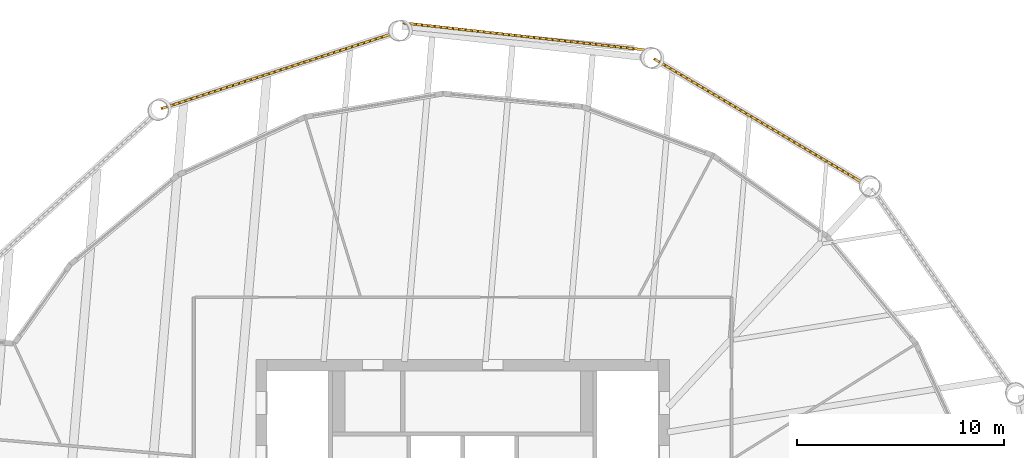
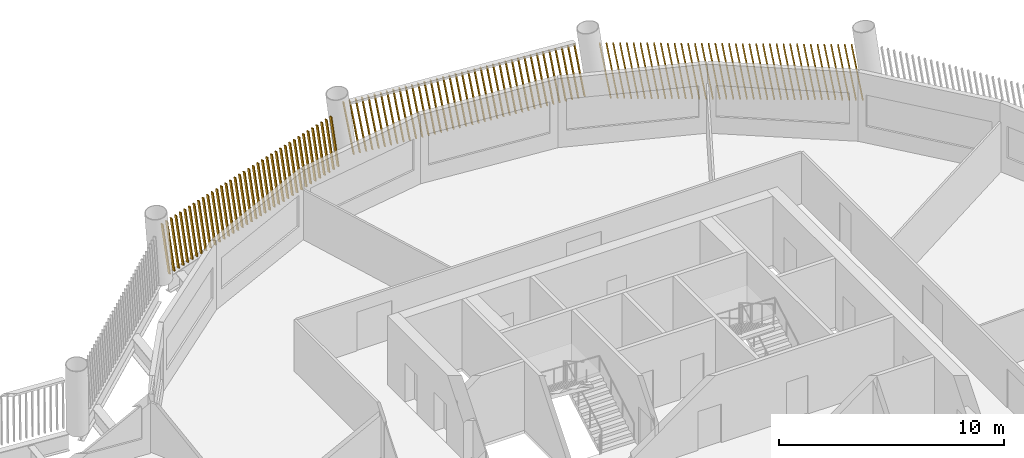
# One storey, part 13 of 14: 3 shading devices.
"""IFC4 building model written with IfcOpenShell, lengths in metres."""

from ifc_helpers import new_model, si_unit, direction, frame, frame_2d, origin, place, context, subcontext, project, spatial, rectangle, composite_profile, extrude, material, type_object, element, save


model = new_model("IFC4")

# Units and contexts
model_context = context("Model", 3, precision=1e-05, world=origin(), true_north=direction((0.0, 1.0)))
body_context = subcontext(model_context, "Body", "Model", "MODEL_VIEW")
ifc_project = project(units=[si_unit("LENGTHUNIT", "METRE"), si_unit("AREAUNIT", "SQUARE_METRE"), si_unit("VOLUMEUNIT", "CUBIC_METRE"), si_unit("PLANEANGLEUNIT", "RADIAN"), si_unit("MASSUNIT", "GRAM", prefix="KILO")], contexts=[model_context])

# Site, building, storey
site_placement = place(None, origin())
site = spatial("IfcSite", under=ifc_project, at=site_placement, CompositionType="ELEMENT")
building_placement = place(site_placement, origin())
building = spatial("IfcBuilding", under=site, at=building_placement, Name="Tarsis Ring Headquarters", CompositionType="ELEMENT")
storey_placement = place(building_placement, frame((0.0, 0.0, 266.89990234375)))
storey = spatial("IfcBuildingStorey", under=building, at=storey_placement, Name="L62", CompositionType="ELEMENT", Elevation=266.89990234375)

# Shading devices
ifc_material = material(Name="Terracotta baguette", Category="masonry")
shading_device_type = type_object("IfcShadingDeviceType", Name="Terracotta baguette screen", PredefinedType="USERDEFINED", material=ifc_material)
shading_device_1_placement = place(storey_placement, frame((19.336669921875, 21.54150390625, 0.0), z_axis=(0.0, 0.0, 1.0), x_axis=(-0.859775154093, 0.510678010244, 0.0)))
element("IfcShadingDevice", 1, at=shading_device_1_placement, inside=storey, type_object=shading_device_type, Name="Baguette screen L62-11", ObjectType="Terracotta baguette screen", PredefinedType="USERDEFINED", context=body_context, shape_type="SweptSolid", body=[
    extrude(composite_profile([rectangle(XDim=0.06005859375, YDim=0.1201171875, at=frame_2d((0.030029296875, 0.0))), rectangle(XDim=0.06005859375, YDim=0.1201171875, at=frame_2d((0.33251953125, 0.0))), rectangle(XDim=0.06005859375, YDim=0.1201171875, at=frame_2d((0.634765625, 0.0))), rectangle(XDim=0.06005859375, YDim=0.1201171875, at=frame_2d((0.937255859375, 0.0))), rectangle(XDim=0.06005859375, YDim=0.1201171875, at=frame_2d((1.239501953125, 0.0))), rectangle(XDim=0.06005859375, YDim=0.1201171875, at=frame_2d((1.5419921875, 0.0))), rectangle(XDim=0.06005859375, YDim=0.1201171875, at=frame_2d((1.844482421875, 0.0))), rectangle(XDim=0.06005859375, YDim=0.1201171875, at=frame_2d((2.146728515625, 0.0))), rectangle(XDim=0.06005859375, YDim=0.1201171875, at=frame_2d((2.44921875, 0.0))), rectangle(XDim=0.06005859375, YDim=0.1201171875, at=frame_2d((2.751708984375, 0.0))), rectangle(XDim=0.06005859375, YDim=0.1201171875, at=frame_2d((3.053955078125, 0.0))), rectangle(XDim=0.06005859375, YDim=0.1201171875, at=frame_2d((3.3564453125, 0.0))), rectangle(XDim=0.06005859375, YDim=0.1201171875, at=frame_2d((3.65869140625, 0.0))), rectangle(XDim=0.06005859375, YDim=0.1201171875, at=frame_2d((3.961181640625, 0.0))), rectangle(XDim=0.06005859375, YDim=0.1201171875, at=frame_2d((4.263671875, 0.0))), rectangle(XDim=0.06005859375, YDim=0.1201171875, at=frame_2d((4.56591796875, 0.0))), rectangle(XDim=0.06005859375, YDim=0.1201171875, at=frame_2d((4.868408203125, 0.0))), rectangle(XDim=0.06005859375, YDim=0.1201171875, at=frame_2d((5.1708984375, 0.0))), rectangle(XDim=0.06005859375, YDim=0.1201171875, at=frame_2d((5.47314453125, 0.0))), rectangle(XDim=0.06005859375, YDim=0.1201171875, at=frame_2d((5.775634765625, 0.0))), rectangle(XDim=0.06005859375, YDim=0.1201171875, at=frame_2d((6.077880859375, 0.0))), rectangle(XDim=0.06005859375, YDim=0.1201171875, at=frame_2d((6.38037109375, 0.0))), rectangle(XDim=0.06005859375, YDim=0.1201171875, at=frame_2d((6.682861328125, 0.0))), rectangle(XDim=0.06005859375, YDim=0.1201171875, at=frame_2d((6.985107421875, 0.0))), rectangle(XDim=0.06005859375, YDim=0.1201171875, at=frame_2d((7.28759765625, 0.0))), rectangle(XDim=0.06005859375, YDim=0.1201171875, at=frame_2d((7.590087890625, 0.0))), rectangle(XDim=0.06005859375, YDim=0.1201171875, at=frame_2d((7.892333984375, 0.0))), rectangle(XDim=0.06005859375, YDim=0.1201171875, at=frame_2d((8.19482421875, 0.0))), rectangle(XDim=0.06005859375, YDim=0.1201171875, at=frame_2d((8.4970703125, 0.0))), rectangle(XDim=0.06005859375, YDim=0.1201171875, at=frame_2d((8.799560546875, 0.0))), rectangle(XDim=0.06005859375, YDim=0.1201171875, at=frame_2d((9.10205078125, 0.0))), rectangle(XDim=0.06005859375, YDim=0.1201171875, at=frame_2d((9.404296875, 0.0))), rectangle(XDim=0.06005859375, YDim=0.1201171875, at=frame_2d((9.706787109375, 0.0))), rectangle(XDim=0.06005859375, YDim=0.1201171875, at=frame_2d((10.00927734375, 0.0))), rectangle(XDim=0.06005859375, YDim=0.1201171875, at=frame_2d((10.3115234375, 0.0))), rectangle(XDim=0.06005859375, YDim=0.1201171875, at=frame_2d((10.614013671875, 0.0))), rectangle(XDim=0.06005859375, YDim=0.1201171875, at=frame_2d((10.916259765625, 0.0))), rectangle(XDim=0.06005859375, YDim=0.1201171875, at=frame_2d((11.21875, 0.0)))]), origin(), (0.164690485141, 0.001437568247, 0.986344248983), 3.009033203125),
])
shading_device_2_placement = place(storey_placement, frame((8.780029296875, 27.969482421875, 0.0), z_axis=(0.0, 0.0, 1.0), x_axis=(-0.99383627051, 0.110882021009, 0.0)))
element("IfcShadingDevice", 2, at=shading_device_2_placement, inside=storey, type_object=shading_device_type, Name="Baguette screen L62-12", ObjectType="Terracotta baguette screen", PredefinedType="USERDEFINED", context=body_context, shape_type="SweptSolid", body=[
    extrude(composite_profile([rectangle(XDim=0.06005859375, YDim=0.1201171875, at=frame_2d((0.030029296875, 0.0))), rectangle(XDim=0.06005859375, YDim=0.1201171875, at=frame_2d((0.33251953125, 0.0))), rectangle(XDim=0.06005859375, YDim=0.1201171875, at=frame_2d((0.634765625, 0.0))), rectangle(XDim=0.06005859375, YDim=0.1201171875, at=frame_2d((0.937255859375, 0.0))), rectangle(XDim=0.06005859375, YDim=0.1201171875, at=frame_2d((1.239501953125, 0.0))), rectangle(XDim=0.06005859375, YDim=0.1201171875, at=frame_2d((1.5419921875, 0.0))), rectangle(XDim=0.06005859375, YDim=0.1201171875, at=frame_2d((1.844482421875, 0.0))), rectangle(XDim=0.06005859375, YDim=0.1201171875, at=frame_2d((2.146728515625, 0.0))), rectangle(XDim=0.06005859375, YDim=0.1201171875, at=frame_2d((2.44921875, 0.0))), rectangle(XDim=0.06005859375, YDim=0.1201171875, at=frame_2d((2.751708984375, 0.0))), rectangle(XDim=0.06005859375, YDim=0.1201171875, at=frame_2d((3.053955078125, 0.0))), rectangle(XDim=0.06005859375, YDim=0.1201171875, at=frame_2d((3.3564453125, 0.0))), rectangle(XDim=0.06005859375, YDim=0.1201171875, at=frame_2d((3.65869140625, 0.0))), rectangle(XDim=0.06005859375, YDim=0.1201171875, at=frame_2d((3.961181640625, 0.0))), rectangle(XDim=0.06005859375, YDim=0.1201171875, at=frame_2d((4.263671875, 0.0))), rectangle(XDim=0.06005859375, YDim=0.1201171875, at=frame_2d((4.56591796875, 0.0))), rectangle(XDim=0.06005859375, YDim=0.1201171875, at=frame_2d((4.868408203125, 0.0))), rectangle(XDim=0.06005859375, YDim=0.1201171875, at=frame_2d((5.1708984375, 0.0))), rectangle(XDim=0.06005859375, YDim=0.1201171875, at=frame_2d((5.47314453125, 0.0))), rectangle(XDim=0.06005859375, YDim=0.1201171875, at=frame_2d((5.775634765625, 0.0))), rectangle(XDim=0.06005859375, YDim=0.1201171875, at=frame_2d((6.077880859375, 0.0))), rectangle(XDim=0.06005859375, YDim=0.1201171875, at=frame_2d((6.38037109375, 0.0))), rectangle(XDim=0.06005859375, YDim=0.1201171875, at=frame_2d((6.682861328125, 0.0))), rectangle(XDim=0.06005859375, YDim=0.1201171875, at=frame_2d((6.985107421875, 0.0))), rectangle(XDim=0.06005859375, YDim=0.1201171875, at=frame_2d((7.28759765625, 0.0))), rectangle(XDim=0.06005859375, YDim=0.1201171875, at=frame_2d((7.590087890625, 0.0))), rectangle(XDim=0.06005859375, YDim=0.1201171875, at=frame_2d((7.892333984375, 0.0))), rectangle(XDim=0.06005859375, YDim=0.1201171875, at=frame_2d((8.19482421875, 0.0))), rectangle(XDim=0.06005859375, YDim=0.1201171875, at=frame_2d((8.4970703125, 0.0))), rectangle(XDim=0.06005859375, YDim=0.1201171875, at=frame_2d((8.799560546875, 0.0))), rectangle(XDim=0.06005859375, YDim=0.1201171875, at=frame_2d((9.10205078125, 0.0))), rectangle(XDim=0.06005859375, YDim=0.1201171875, at=frame_2d((9.404296875, 0.0))), rectangle(XDim=0.06005859375, YDim=0.1201171875, at=frame_2d((9.706787109375, 0.0))), rectangle(XDim=0.06005859375, YDim=0.1201171875, at=frame_2d((10.00927734375, 0.0))), rectangle(XDim=0.06005859375, YDim=0.1201171875, at=frame_2d((10.3115234375, 0.0))), rectangle(XDim=0.06005859375, YDim=0.1201171875, at=frame_2d((10.614013671875, 0.0))), rectangle(XDim=0.06005859375, YDim=0.1201171875, at=frame_2d((10.916259765625, 0.0))), rectangle(XDim=0.06005859375, YDim=0.1201171875, at=frame_2d((11.21875, 0.0)))]), origin(), (0.166805477164, 0.001455208068, 0.985988750016), 3.01025390625),
])
shading_device_3_placement = place(storey_placement, frame((-3.41357421875, 28.7451171875, 0.0), z_axis=(0.0, 0.0, 1.0), x_axis=(-0.951188279978, -0.308605534455, 0.0)))
element("IfcShadingDevice", 3, at=shading_device_3_placement, inside=storey, type_object=shading_device_type, Name="Baguette screen L62-13", ObjectType="Terracotta baguette screen", PredefinedType="USERDEFINED", context=body_context, shape_type="SweptSolid", body=[
    extrude(composite_profile([rectangle(XDim=0.06005859375, YDim=0.1201171875, at=frame_2d((0.030029296875, 0.0))), rectangle(XDim=0.06005859375, YDim=0.1201171875, at=frame_2d((0.33251953125, 0.0))), rectangle(XDim=0.06005859375, YDim=0.1201171875, at=frame_2d((0.634765625, 0.0))), rectangle(XDim=0.06005859375, YDim=0.1201171875, at=frame_2d((0.937255859375, 0.0))), rectangle(XDim=0.06005859375, YDim=0.1201171875, at=frame_2d((1.239501953125, 0.0))), rectangle(XDim=0.06005859375, YDim=0.1201171875, at=frame_2d((1.5419921875, 0.0))), rectangle(XDim=0.06005859375, YDim=0.1201171875, at=frame_2d((1.844482421875, 0.0))), rectangle(XDim=0.06005859375, YDim=0.1201171875, at=frame_2d((2.146728515625, 0.0))), rectangle(XDim=0.06005859375, YDim=0.1201171875, at=frame_2d((2.44921875, 0.0))), rectangle(XDim=0.06005859375, YDim=0.1201171875, at=frame_2d((2.751708984375, 0.0))), rectangle(XDim=0.06005859375, YDim=0.1201171875, at=frame_2d((3.053955078125, 0.0))), rectangle(XDim=0.06005859375, YDim=0.1201171875, at=frame_2d((3.3564453125, 0.0))), rectangle(XDim=0.06005859375, YDim=0.1201171875, at=frame_2d((3.65869140625, 0.0))), rectangle(XDim=0.06005859375, YDim=0.1201171875, at=frame_2d((3.961181640625, 0.0))), rectangle(XDim=0.06005859375, YDim=0.1201171875, at=frame_2d((4.263671875, 0.0))), rectangle(XDim=0.06005859375, YDim=0.1201171875, at=frame_2d((4.56591796875, 0.0))), rectangle(XDim=0.06005859375, YDim=0.1201171875, at=frame_2d((4.868408203125, 0.0))), rectangle(XDim=0.06005859375, YDim=0.1201171875, at=frame_2d((5.1708984375, 0.0))), rectangle(XDim=0.06005859375, YDim=0.1201171875, at=frame_2d((5.47314453125, 0.0))), rectangle(XDim=0.06005859375, YDim=0.1201171875, at=frame_2d((5.775634765625, 0.0))), rectangle(XDim=0.06005859375, YDim=0.1201171875, at=frame_2d((6.077880859375, 0.0))), rectangle(XDim=0.06005859375, YDim=0.1201171875, at=frame_2d((6.38037109375, 0.0))), rectangle(XDim=0.06005859375, YDim=0.1201171875, at=frame_2d((6.682861328125, 0.0))), rectangle(XDim=0.06005859375, YDim=0.1201171875, at=frame_2d((6.985107421875, 0.0))), rectangle(XDim=0.06005859375, YDim=0.1201171875, at=frame_2d((7.28759765625, 0.0))), rectangle(XDim=0.06005859375, YDim=0.1201171875, at=frame_2d((7.590087890625, 0.0))), rectangle(XDim=0.06005859375, YDim=0.1201171875, at=frame_2d((7.892333984375, 0.0))), rectangle(XDim=0.06005859375, YDim=0.1201171875, at=frame_2d((8.19482421875, 0.0))), rectangle(XDim=0.06005859375, YDim=0.1201171875, at=frame_2d((8.4970703125, 0.0))), rectangle(XDim=0.06005859375, YDim=0.1201171875, at=frame_2d((8.799560546875, 0.0))), rectangle(XDim=0.06005859375, YDim=0.1201171875, at=frame_2d((9.10205078125, 0.0))), rectangle(XDim=0.06005859375, YDim=0.1201171875, at=frame_2d((9.404296875, 0.0))), rectangle(XDim=0.06005859375, YDim=0.1201171875, at=frame_2d((9.706787109375, 0.0))), rectangle(XDim=0.06005859375, YDim=0.1201171875, at=frame_2d((10.00927734375, 0.0))), rectangle(XDim=0.06005859375, YDim=0.1201171875, at=frame_2d((10.3115234375, 0.0))), rectangle(XDim=0.06005859375, YDim=0.1201171875, at=frame_2d((10.614013671875, 0.0))), rectangle(XDim=0.06005859375, YDim=0.1201171875, at=frame_2d((10.916259765625, 0.0))), rectangle(XDim=0.06005859375, YDim=0.1201171875, at=frame_2d((11.21875, 0.0)))]), origin(), (0.16469003356, 0.001440041031, 0.986344320776), 3.009033203125),
])

save(model, "model.ifc")
